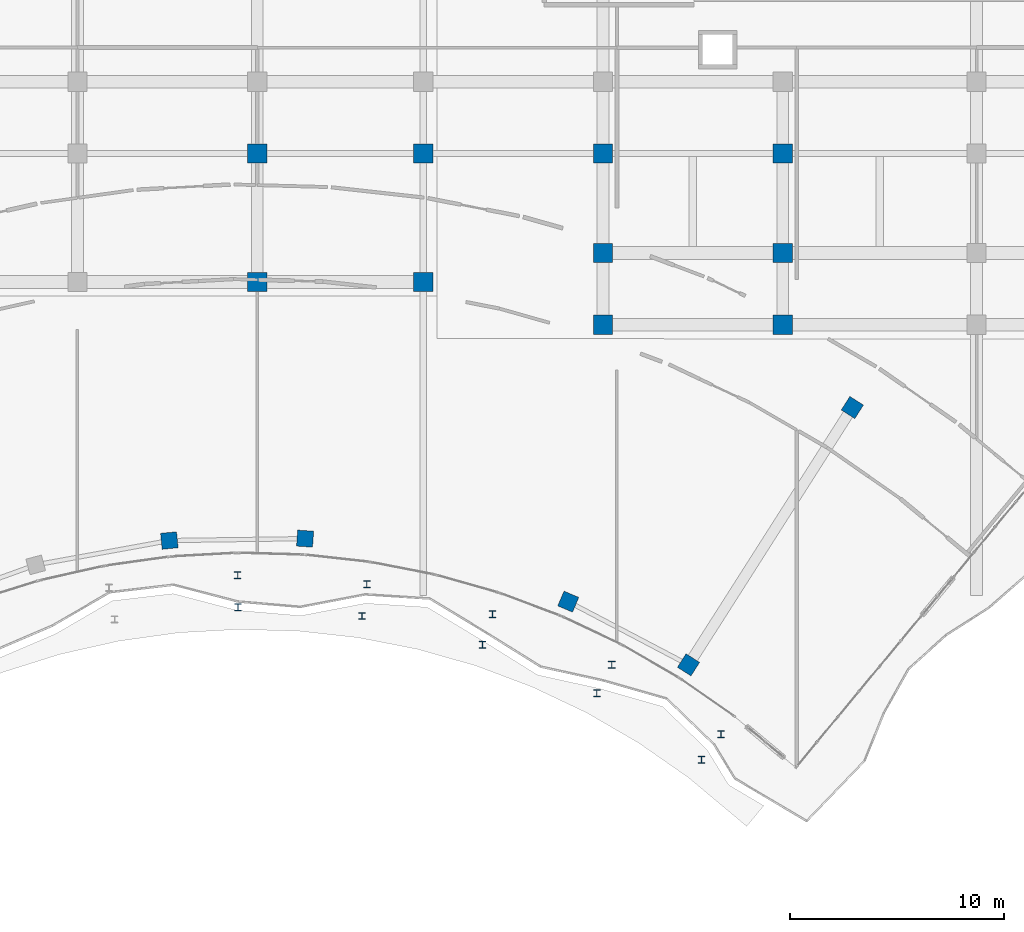
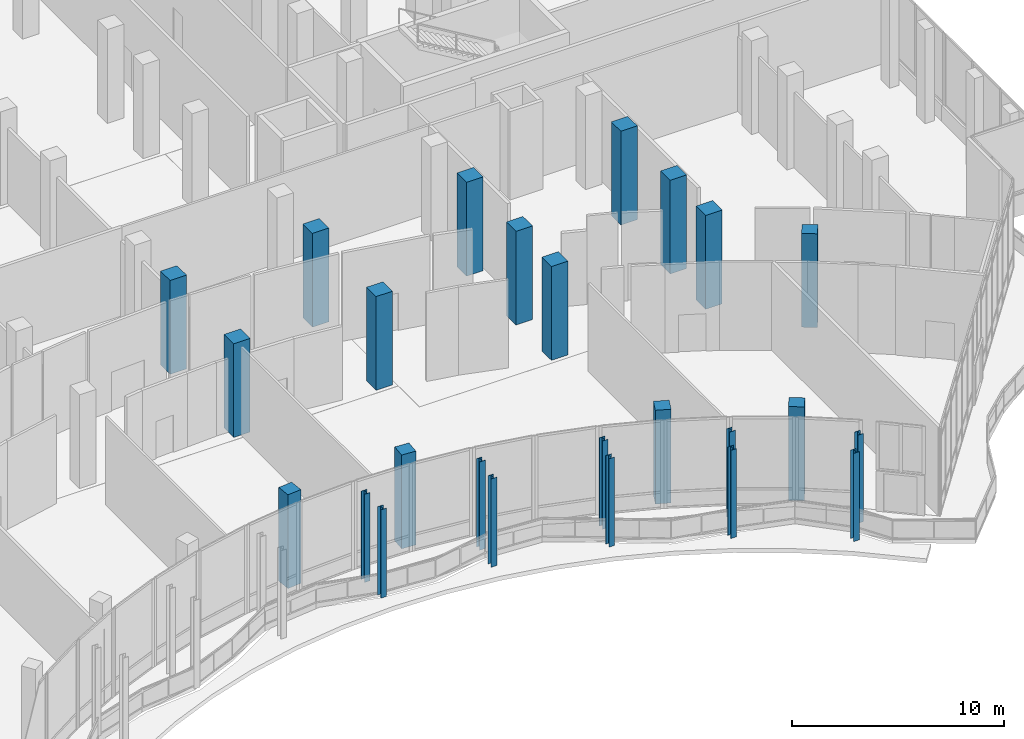
# One storey, part 13 of 158: 25 columns.
"""IFC4 building model written with IfcOpenShell, lengths in metres."""

from ifc_helpers import new_model, si_unit, direction, frame, origin, origin_2d, place, context, subcontext, project, spatial, rectangle, i_section, extrude, material, material_profile, profile_set, type_object, element, save


model = new_model("IFC4")

# Units and contexts
model_context = context("Model", 3, precision=1e-05, world=origin(), true_north=direction((0.0, 1.0)))
body_context = subcontext(model_context, "Body", "Model", "MODEL_VIEW")
ifc_project = project(units=[si_unit("LENGTHUNIT", "METRE"), si_unit("AREAUNIT", "SQUARE_METRE"), si_unit("VOLUMEUNIT", "CUBIC_METRE"), si_unit("PLANEANGLEUNIT", "RADIAN"), si_unit("MASSUNIT", "GRAM", prefix="KILO")], contexts=[model_context])

# Site, building, storey
site_placement = place(None, origin())
site = spatial("IfcSite", under=ifc_project, at=site_placement, CompositionType="ELEMENT")
building_placement = place(site_placement, origin())
building = spatial("IfcBuilding", under=site, at=building_placement, Name="Selatvlak General Hospital", CompositionType="ELEMENT")
storey_placement = place(building_placement, origin())
storey = spatial("IfcBuildingStorey", under=building, at=storey_placement, Name="L00", CompositionType="ELEMENT", Elevation=0.0)

# Columns
ifc_material_1 = material(Name="Concrete C50/60", Category="concrete")
ifc_material_profile_1 = material_profile(ifc_material_1, rectangle(XDim=0.75, YDim=0.75, at=origin_2d()), Name="RC-COL 750x750")
ifc_profile_set_1 = profile_set([ifc_material_profile_1], Name="Concrete C50/60")
column_type_1 = type_object("IfcColumnType", Name="COL-RC75", PredefinedType="COLUMN", material=ifc_profile_set_1)
for number, where, z_axis, x_axis, name in (
    (1, (136.2919921875, 54.570068359375, 0.0), (0.0, 0.0, 1.0), (-0.097061786558, 0.995278357843, 0.0), "Column 346 on L00"),
    (2, (142.633056640625, 54.658935546875, 0.0), (0.0, 0.0, 1.0), (0.068938143839, 0.99762093619, 0.0), "Column 347 on L00"),
    (3, (154.927978515625, 51.716064453125, 0.0), (0.0, 0.0, 1.0), (0.390393719602, 0.920648002059, 0.0), "Column 348 on L00"),
    (4, (168.197998046875, 60.783935546875, 0.0), (0.0, 0.0, 1.0), (0.537064068078, 0.843541455282, 0.0), "Column 349 on L00"),
    (5, (160.544921875, 48.763916015625, 0.0), (0.0, 0.0, 1.0), (0.537064068078, 0.843541455282, 0.0), "Column 350 on L00"),
):
    element("IfcColumn", number, at=place(storey_placement, frame(where, z_axis=z_axis, x_axis=x_axis)), inside=storey, type_object=column_type_1, Name=name, PredefinedType="COLUMN", context=body_context, shape_type="SweptSolid", body=[
        extrude(rectangle(XDim=0.75, YDim=0.75, at=origin_2d()), origin(), (0.0, 0.0, 1.0), 5.39990234375),
    ])
ifc_material_profile_2 = material_profile(ifc_material_1, rectangle(XDim=0.89990234375, YDim=0.89990234375, at=origin_2d()), Name="RC-COL 900x900")
ifc_profile_set_2 = profile_set([ifc_material_profile_2], Name="Concrete C50/60")
column_type_2 = type_object("IfcColumnType", Name="COL-RC90", PredefinedType="COLUMN", material=ifc_profile_set_2)
for number, where, z_axis, x_axis, name in (
    (6, (140.39990234375, 66.64990234375, 0.0), (0.0, 0.0, 1.0), (1.0, 0.0, 0.0), "Column 255 on L00"),
    (7, (140.39990234375, 72.64990234375, 0.0), (0.0, 0.0, 1.0), (1.0, 0.0, 0.0), "Column 256 on L00"),
    (8, (148.14990234375, 66.64990234375, 0.0), (0.0, 0.0, 1.0), (1.0, 0.0, 0.0), "Column 266 on L00"),
    (9, (148.14990234375, 72.64990234375, 0.0), (0.0, 0.0, 1.0), (1.0, 0.0, 0.0), "Column 267 on L00"),
    (10, (156.550048828125, 64.64990234375, 0.0), (0.0, 0.0, 1.0), (1.0, 0.0, 0.0), "Column 274 on L00"),
    (11, (156.550048828125, 68.0, 0.0), (0.0, 0.0, 1.0), (1.0, 0.0, 0.0), "Column 275 on L00"),
    (12, (156.550048828125, 72.64990234375, 0.0), (0.0, 0.0, 1.0), (1.0, 0.0, 0.0), "Column 276 on L00"),
    (13, (164.949951171875, 64.64990234375, 0.0), (0.0, 0.0, 1.0), (1.0, 0.0, 0.0), "Column 284 on L00"),
    (14, (164.949951171875, 68.0, 0.0), (0.0, 0.0, 1.0), (1.0, 0.0, 0.0), "Column 285 on L00"),
    (15, (164.949951171875, 72.64990234375, 0.0), (0.0, 0.0, 1.0), (1.0, 0.0, 0.0), "Column 286 on L00"),
):
    element("IfcColumn", number, at=place(storey_placement, frame(where, z_axis=z_axis, x_axis=x_axis)), inside=storey, type_object=column_type_2, Name=name, PredefinedType="COLUMN", context=body_context, shape_type="SweptSolid", body=[
        extrude(rectangle(XDim=0.89990234375, YDim=0.89990234375, at=origin_2d()), origin(), (0.0, 0.0, 1.0), 5.39990234375),
    ])
ifc_material_2 = material(Name="Steel S355", Category="steel")
ifc_material_profile_3 = material_profile(ifc_material_2, i_section(OverallWidth=0.30908203125, OverallDepth=0.320556640625, WebThickness=0.013916015625, FlangeThickness=0.021728515625, at=origin_2d()), Name="UC 305x305x137")
ifc_profile_set_3 = profile_set([ifc_material_profile_3], Name="Steel S355")
column_type_3 = type_object("IfcColumnType", Name="COL-UC305", PredefinedType="COLUMN", material=ifc_profile_set_3)
for number, where, z_axis, x_axis, name in (
    (16, (139.48388671875, 52.946044921875, 0.0), (0.0, 0.0, 1.0), (1.0, 0.0, 0.0), "Column 139 on L00"),
    (17, (139.5048828125, 51.446044921875, 0.0), (0.0, 0.0, 1.0), (1.0, 0.0, 0.0), "Column 140 on L00"),
    (18, (145.51708984375, 52.530029296875, 0.0), (0.0, 0.0, 1.0), (1.0, 0.0, 0.0), "Column 141 on L00"),
    (19, (145.2900390625, 51.047119140625, 0.0), (0.0, 0.0, 1.0), (1.0, 0.0, 0.0), "Column 142 on L00"),
    (20, (151.39501953125, 51.1240234375, 0.0), (0.0, 0.0, 1.0), (1.0, 0.0, 0.0), "Column 143 on L00"),
    (21, (150.926025390625, 49.698974609375, 0.0), (0.0, 0.0, 1.0), (1.0, 0.0, 0.0), "Column 144 on L00"),
    (22, (156.9599609375, 48.763916015625, 0.0), (0.0, 0.0, 1.0), (1.0, 0.0, 0.0), "Column 145 on L00"),
    (23, (156.261962890625, 47.43603515625, 0.0), (0.0, 0.0, 1.0), (1.0, 0.0, 0.0), "Column 146 on L00"),
    (24, (162.06005859375, 45.51708984375, 0.0), (0.0, 0.0, 1.0), (1.0, 0.0, 0.0), "Column 147 on L00"),
    (25, (161.152099609375, 44.322998046875, 0.0), (0.0, 0.0, 1.0), (1.0, 0.0, 0.0), "Column 148 on L00"),
):
    element("IfcColumn", number, at=place(storey_placement, frame(where, z_axis=z_axis, x_axis=x_axis)), inside=storey, type_object=column_type_3, Name=name, PredefinedType="COLUMN", context=body_context, shape_type="SweptSolid", body=[
        extrude(i_section(OverallWidth=0.30908203125, OverallDepth=0.320556640625, WebThickness=0.013916015625, FlangeThickness=0.021728515625, at=origin_2d()), origin(), (0.0, 0.0, 1.0), 5.080078125),
    ])

save(model, "model.ifc")
